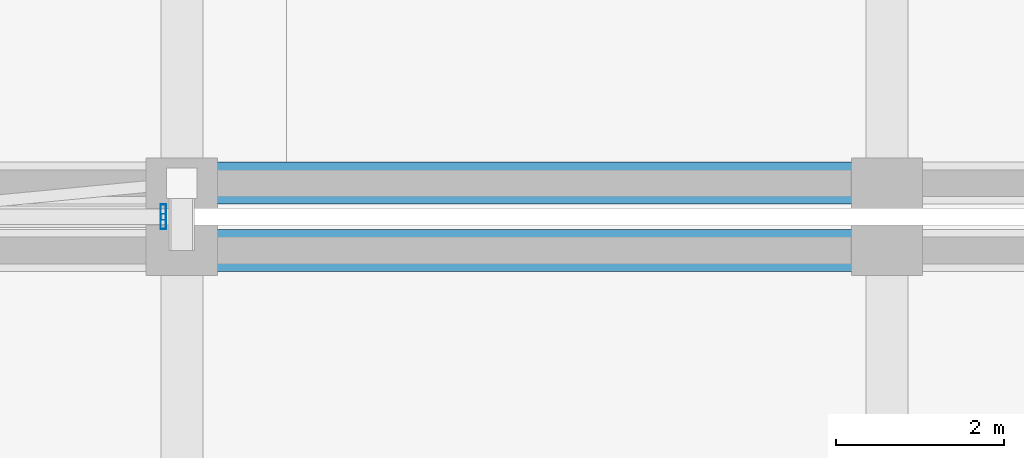
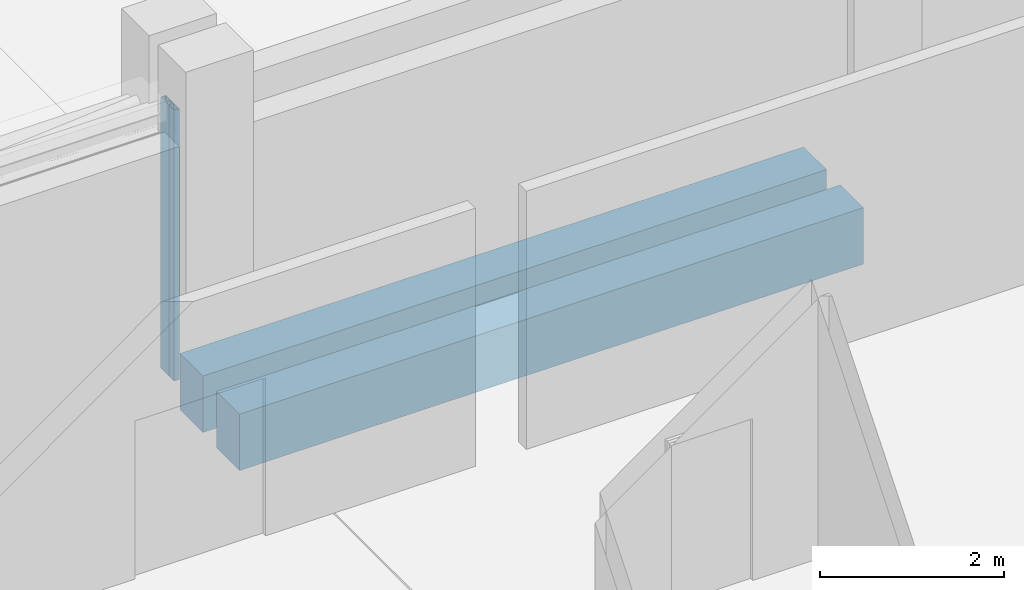
# One storey, part 27 of 137: 2 beams, 2 members, 1 element without a shape of its own.
"""IFC4 building model written with IfcOpenShell, lengths in metres."""

from ifc_helpers import new_model, si_unit, direction, frame, origin, origin_2d, place, context, subcontext, project, spatial, rectangle, hollow_rectangle, extrude, material, layer, layer_set, material_profile, profile_set, type_object, element, aggregate, save


model = new_model("IFC4")

# Units and contexts
model_context = context("Model", 3, precision=1e-05, world=origin(), true_north=direction((0.0, 1.0)))
body_context = subcontext(model_context, "Body", "Model", "MODEL_VIEW")
ifc_project = project(units=[si_unit("LENGTHUNIT", "METRE"), si_unit("AREAUNIT", "SQUARE_METRE"), si_unit("VOLUMEUNIT", "CUBIC_METRE"), si_unit("PLANEANGLEUNIT", "RADIAN"), si_unit("MASSUNIT", "GRAM", prefix="KILO")], contexts=[model_context])

# Site, building, storey
site_placement = place(None, origin())
site = spatial("IfcSite", under=ifc_project, at=site_placement, CompositionType="ELEMENT")
building_placement = place(site_placement, origin())
building = spatial("IfcBuilding", under=site, at=building_placement, Name="Xazarin Passage Department Store", CompositionType="ELEMENT")
storey_placement = place(building_placement, frame((0.0, 0.0, 5.39990234375)))
storey = spatial("IfcBuildingStorey", under=building, at=storey_placement, Name="L01", CompositionType="ELEMENT", Elevation=5.39990234375)

# Curtain wall, members
ifc_material_1 = material(Name="Bronze anodised aluminium", Category="aluminium")
ifc_layer = layer(ifc_material_1, 0.14990234375)
ifc_layer_set = layer_set([ifc_layer], Name="Bronze anodised aluminium")
curtain_wall_type = type_object("IfcCurtainWallType", Name="ARC-CW-BRG1", PredefinedType="NOTDEFINED", material=ifc_layer_set)
curtain_wall_placement = place(storey_placement, origin())
curtain_wall = element("IfcCurtainWall", 1, at=curtain_wall_placement, inside=storey, type_object=curtain_wall_type, Name="L01 BR-V1-V3 Bridge Curtain Wall 2", PredefinedType="NOTDEFINED")
ifc_material_profile_1 = material_profile(ifc_material_1, hollow_rectangle(XDim=0.06494140625, YDim=0.179931640625, WallThickness=0.00390625, at=origin_2d()), Name="ALU 65x180")
ifc_profile_set_1 = profile_set([ifc_material_profile_1], Name="Bronze anodised aluminium")
member_type = type_object("IfcMemberType", Name="ARC-CWM-65x180", PredefinedType="MULLION", material=ifc_profile_set_1)
member_1_placement = place(storey_placement, frame((33.3798828125, 50.742431640625, 0.0), z_axis=(0.0, 0.0, 1.0), x_axis=(-1.0, 0.0, 0.0)))
member_1 = element("IfcMember", 2, at=member_1_placement, type_object=member_type, Name="CW7 mullion 1", PredefinedType="MULLION", context=body_context, shape_type="SweptSolid", body=[
    extrude(hollow_rectangle(XDim=0.06494140625, YDim=0.179931640625, WallThickness=0.00390625, at=origin_2d()), origin(), (0.0, 0.0, 1.0), 3.60009765625),
])
member_2_placement = place(storey_placement, frame((33.3798828125, 50.857421875, 0.0), z_axis=(0.0, 0.0, 1.0), x_axis=(-1.0, 0.0, 0.0)))
member_2 = element("IfcMember", 3, at=member_2_placement, type_object=member_type, Name="CW7 mullion 2", PredefinedType="MULLION", context=body_context, shape_type="SweptSolid", body=[
    extrude(hollow_rectangle(XDim=0.06494140625, YDim=0.179931640625, WallThickness=0.00390625, at=origin_2d()), origin(), (0.0, 0.0, 1.0), 3.60009765625),
])
aggregate(curtain_wall, [member_1, member_2])

# Beams
ifc_material_2 = material(Name="Concrete C35/45", Category="concrete")
ifc_material_profile_2 = material_profile(ifc_material_2, rectangle(XDim=0.5, YDim=0.75, at=origin_2d()), Name="RC 500x750")
ifc_profile_set_2 = profile_set([ifc_material_profile_2], Name="Concrete C35/45")
beam_type = type_object("IfcBeamType", Name="STR-BM-SP500x750", PredefinedType="SPANDREL", material=ifc_profile_set_2)
for number, where, z_axis, x_axis, name in (
    (4, (33.8798828125, 51.199951171875, -0.6748046875), (1.0, 0.0, 0.0), (0.0, 1.0, 0.0), "L01 Grid Beam H/5-6"),
    (5, (33.8798828125, 50.39990234375, -0.69482421875), (1.0, 0.0, 0.0), (0.0, 1.0, 0.0), "L01 Grid Beam G/5-6"),
):
    element("IfcBeam", number, at=place(storey_placement, frame(where, z_axis=z_axis, x_axis=x_axis)), inside=storey, type_object=beam_type, Name=name, PredefinedType="SPANDREL", context=body_context, shape_type="SweptSolid", body=[
        extrude(rectangle(XDim=0.5, YDim=0.75, at=origin_2d()), origin(), (0.0, 0.0, 1.0), 7.840087890625),
    ])

save(model, "model.ifc")
